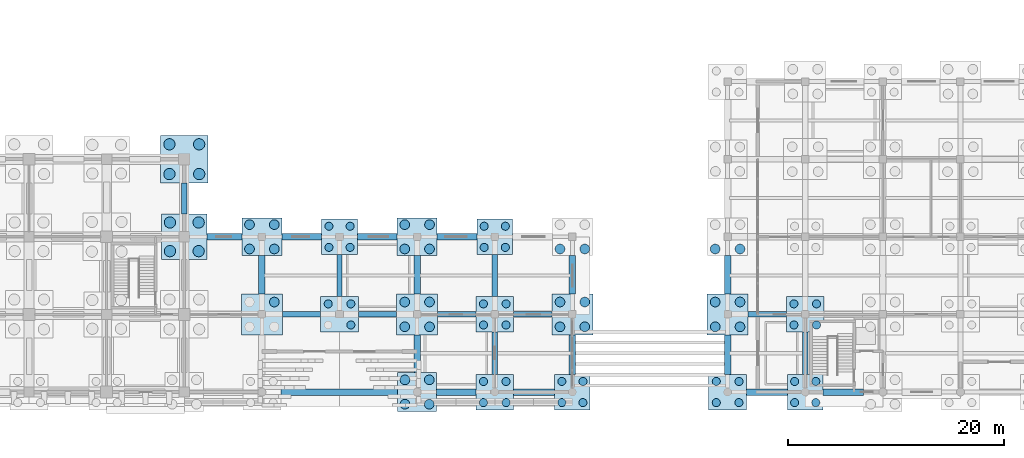
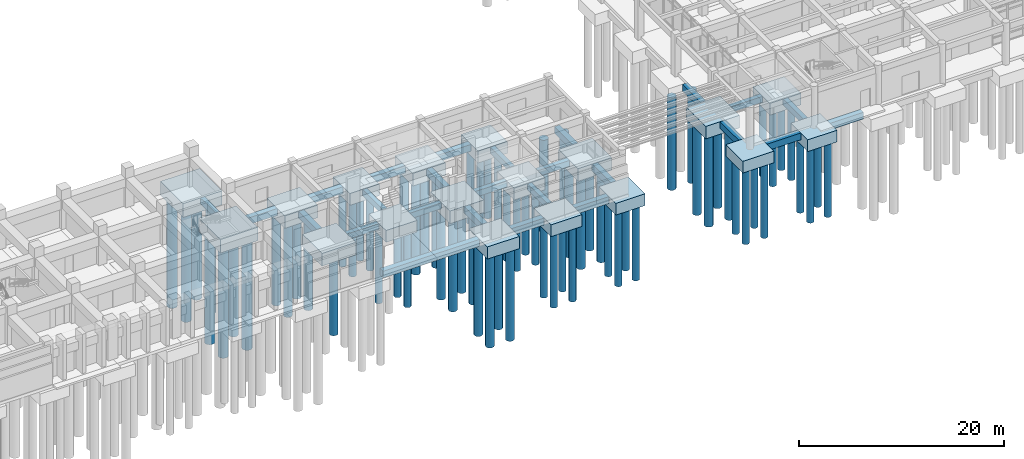
# One storey, part 5 of 79: 72 piles, 44 footings.
"""IFC4 building model written with IfcOpenShell, lengths in metres."""

from ifc_helpers import new_model, si_unit, direction, frame, origin, origin_2d, place, context, subcontext, project, spatial, polyline, rectangle, circle, outline, extrude, material, material_profile, profile_set, type_object, element, save


model = new_model("IFC4")

# Units and contexts
model_context = context("Model", 3, precision=1e-05, world=origin(), true_north=direction((0.0, 1.0)))
body_context = subcontext(model_context, "Body", "Model", "MODEL_VIEW")
ifc_project = project(units=[si_unit("LENGTHUNIT", "METRE"), si_unit("AREAUNIT", "SQUARE_METRE"), si_unit("VOLUMEUNIT", "CUBIC_METRE"), si_unit("PLANEANGLEUNIT", "RADIAN"), si_unit("MASSUNIT", "GRAM", prefix="KILO")], contexts=[model_context])

# Site, building, storey
site_placement = place(None, origin())
site = spatial("IfcSite", under=ifc_project, at=site_placement, CompositionType="ELEMENT")
building_placement = place(site_placement, origin())
building = spatial("IfcBuilding", under=site, at=building_placement, Name="Kavelor Marine Aquarium", CompositionType="ELEMENT")
storey_placement = place(building_placement, origin())
storey = spatial("IfcBuildingStorey", under=building, at=storey_placement, Name="L00", CompositionType="ELEMENT", Elevation=0.0)

# Footings
ifc_material_1 = material(Name="Concrete C40/50", Category="concrete")
footing_type_1 = type_object("IfcFootingType", Name="CAP-PC01", PredefinedType="PILE_CAP", material=ifc_material_1)
footing_1_placement = place(storey_placement, frame((0.0, 0.0, -2.0)))
element("IfcFooting", 1, at=footing_1_placement, inside=storey, type_object=footing_type_1, Name="Pile Cap PC01 (10-D)", PredefinedType="PILE_CAP", context=body_context, shape_type="SweptSolid", body=[
    extrude(outline(polyline([(65.800048828125, 22.199951171875), (70.199951171875, 22.199951171875), (70.199951171875, 26.60009765625), (65.800048828125, 26.60009765625), (65.800048828125, 22.199951171875)])), origin(), (0.0, 0.0, 1.0), 1.64990234375),
])
ifc_material_2 = material(Name="Concrete C40/50", Category="concrete")
footing_type_2 = type_object("IfcFootingType", Name="CAP-PC02", PredefinedType="PILE_CAP", material=ifc_material_2)
footing_2_placement = place(storey_placement, frame((0.0, 0.0, -1.949951171875)))
element("IfcFooting", 2, at=footing_2_placement, inside=storey, type_object=footing_type_2, Name="Pile Cap PC02 (10-C)", PredefinedType="PILE_CAP", context=body_context, shape_type="SweptSolid", body=[
    extrude(outline(polyline([(65.89990234375, 15.10009765625), (70.10009765625, 15.10009765625), (70.10009765625, 19.300048828125), (65.89990234375, 19.300048828125), (65.89990234375, 15.10009765625)])), origin(), (0.0, 0.0, 1.0), 1.599853515625),
])
ifc_material_3 = material(Name="Concrete C40/50", Category="concrete")
footing_type_3 = type_object("IfcFootingType", Name="CAP-PC04", PredefinedType="PILE_CAP", material=ifc_material_3)
footing_3_placement = place(storey_placement, frame((0.0, 0.0, -1.85009765625)))
element("IfcFooting", 3, at=footing_3_placement, inside=storey, type_object=footing_type_3, Name="Pile Cap PC04 (11-B)", PredefinedType="PILE_CAP", context=body_context, shape_type="SweptSolid", body=[
    extrude(outline(polyline([(73.300048828125, 8.10009765625), (77.10009765625, 8.10009765625), (77.10009765625, 11.89990234375), (73.300048828125, 11.89990234375), (73.300048828125, 8.10009765625)])), origin(), (0.0, 0.0, 1.0), 1.5),
])
footing_4_placement = place(storey_placement, frame((0.0, 0.0, -1.85009765625)))
element("IfcFooting", 4, at=footing_4_placement, inside=storey, type_object=footing_type_3, Name="Pile Cap PC04 (13-B)", PredefinedType="PILE_CAP", context=body_context, shape_type="SweptSolid", body=[
    extrude(outline(polyline([(87.699951171875, 8.10009765625), (91.5, 8.10009765625), (91.5, 11.89990234375), (87.699951171875, 11.89990234375), (87.699951171875, 8.10009765625)])), origin(), (0.0, 0.0, 1.0), 1.5),
])
footing_5_placement = place(storey_placement, frame((0.0, 0.0, -1.85009765625)))
element("IfcFooting", 5, at=footing_5_placement, inside=storey, type_object=footing_type_3, Name="Pile Cap PC04 (15-B)", PredefinedType="PILE_CAP", context=body_context, shape_type="SweptSolid", body=[
    extrude(outline(polyline([(102.10009765625, 8.10009765625), (105.89990234375, 8.10009765625), (105.89990234375, 11.89990234375), (102.10009765625, 11.89990234375), (102.10009765625, 8.10009765625)])), origin(), (0.0, 0.0, 1.0), 1.5),
])
footing_6_placement = place(storey_placement, frame((0.0, 0.0, -1.85009765625)))
element("IfcFooting", 6, at=footing_6_placement, inside=storey, type_object=footing_type_3, Name="Pile Cap PC04 (17-B)", PredefinedType="PILE_CAP", context=body_context, shape_type="SweptSolid", body=[
    extrude(outline(polyline([(116.5, 8.10009765625), (120.300048828125, 8.10009765625), (120.300048828125, 11.89990234375), (116.5, 11.89990234375), (116.5, 8.10009765625)])), origin(), (0.0, 0.0, 1.0), 1.5),
])
ifc_material_4 = material(Name="Concrete C40/50", Category="concrete")
footing_type_4 = type_object("IfcFootingType", Name="CAP-PC05", PredefinedType="PILE_CAP", material=ifc_material_4)
footing_7_placement = place(storey_placement, frame((0.0, 0.0, -1.85009765625)))
element("IfcFooting", 7, at=footing_7_placement, inside=storey, type_object=footing_type_4, Name="Pile Cap PC05 (11-C)", PredefinedType="PILE_CAP", context=body_context, shape_type="SweptSolid", body=[
    extrude(outline(polyline([(73.35009765625, 15.449951171875), (77.050048828125, 15.449951171875), (77.050048828125, 18.949951171875), (73.35009765625, 18.949951171875), (73.35009765625, 15.449951171875)])), origin(), (0.0, 0.0, 1.0), 1.5),
])
footing_8_placement = place(storey_placement, frame((0.0, 0.0, -1.85009765625)))
element("IfcFooting", 8, at=footing_8_placement, inside=storey, type_object=footing_type_4, Name="Pile Cap PC05 (13-C)", PredefinedType="PILE_CAP", context=body_context, shape_type="SweptSolid", body=[
    extrude(outline(polyline([(87.75, 15.449951171875), (91.449951171875, 15.449951171875), (91.449951171875, 18.949951171875), (87.75, 18.949951171875), (87.75, 15.449951171875)])), origin(), (0.0, 0.0, 1.0), 1.5),
])
ifc_material_5 = material(Name="Concrete C40/50", Category="concrete")
footing_type_5 = type_object("IfcFootingType", Name="CAP-PC06", PredefinedType="PILE_CAP", material=ifc_material_5)
footing_9_placement = place(storey_placement, frame((0.0, 0.0, -1.800048828125)))
element("IfcFooting", 9, at=footing_9_placement, inside=storey, type_object=footing_type_5, Name="Pile Cap PC06 (13-A)", PredefinedType="PILE_CAP", context=body_context, shape_type="SweptSolid", body=[
    extrude(outline(polyline([(87.800048828125, 1.0), (91.39990234375, 1.0), (91.39990234375, 4.60009765625), (87.800048828125, 4.60009765625), (87.800048828125, 1.0)])), origin(), (0.0, 0.0, 1.0), 1.449951171875),
])
ifc_material_6 = material(Name="Concrete C40/50", Category="concrete")
footing_type_6 = type_object("IfcFootingType", Name="CAP-PC07", PredefinedType="PILE_CAP", material=ifc_material_6)
footing_10_placement = place(storey_placement, frame((0.0, 0.0, -1.75)))
element("IfcFooting", 10, at=footing_10_placement, inside=storey, type_object=footing_type_6, Name="Pile Cap PC07 (12-B)", PredefinedType="PILE_CAP", context=body_context, shape_type="SweptSolid", body=[
    extrude(outline(polyline([(80.64990234375, 8.35009765625), (84.14990234375, 8.35009765625), (84.14990234375, 11.64990234375), (80.64990234375, 11.64990234375), (80.64990234375, 8.35009765625)])), origin(), (0.0, 0.0, 1.0), 1.39990234375),
])
footing_11_placement = place(storey_placement, frame((0.0, 0.0, -1.75)))
element("IfcFooting", 11, at=footing_11_placement, inside=storey, type_object=footing_type_6, Name="Pile Cap PC07 (14-A)", PredefinedType="PILE_CAP", context=body_context, shape_type="SweptSolid", body=[
    extrude(outline(polyline([(95.050048828125, 1.14990234375), (98.550048828125, 1.14990234375), (98.550048828125, 4.449951171875), (95.050048828125, 4.449951171875), (95.050048828125, 1.14990234375)])), origin(), (0.0, 0.0, 1.0), 1.39990234375),
])
footing_12_placement = place(storey_placement, frame((0.0, 0.0, -1.75)))
element("IfcFooting", 12, at=footing_12_placement, inside=storey, type_object=footing_type_6, Name="Pile Cap PC07 (14-B)", PredefinedType="PILE_CAP", context=body_context, shape_type="SweptSolid", body=[
    extrude(outline(polyline([(95.050048828125, 8.35009765625), (98.550048828125, 8.35009765625), (98.550048828125, 11.64990234375), (95.050048828125, 11.64990234375), (95.050048828125, 8.35009765625)])), origin(), (0.0, 0.0, 1.0), 1.39990234375),
])
footing_13_placement = place(storey_placement, frame((0.0, 0.0, -1.75)))
element("IfcFooting", 13, at=footing_13_placement, inside=storey, type_object=footing_type_6, Name="Pile Cap PC07 (17-A)", PredefinedType="PILE_CAP", context=body_context, shape_type="SweptSolid", body=[
    extrude(outline(polyline([(116.64990234375, 1.14990234375), (120.14990234375, 1.14990234375), (120.14990234375, 4.449951171875), (116.64990234375, 4.449951171875), (116.64990234375, 1.14990234375)])), origin(), (0.0, 0.0, 1.0), 1.39990234375),
])
footing_14_placement = place(storey_placement, frame((0.0, 0.0, -1.75)))
element("IfcFooting", 14, at=footing_14_placement, inside=storey, type_object=footing_type_6, Name="Pile Cap PC07 (18-B)", PredefinedType="PILE_CAP", context=body_context, shape_type="SweptSolid", body=[
    extrude(outline(polyline([(123.85009765625, 8.35009765625), (127.35009765625, 8.35009765625), (127.35009765625, 11.64990234375), (123.85009765625, 11.64990234375), (123.85009765625, 8.35009765625)])), origin(), (0.0, 0.0, 1.0), 1.39990234375),
])
ifc_material_7 = material(Name="Concrete C40/50", Category="concrete")
footing_type_7 = type_object("IfcFootingType", Name="CAP-PC08", PredefinedType="PILE_CAP", material=ifc_material_7)
footing_15_placement = place(storey_placement, frame((0.0, 0.0, -1.75)))
element("IfcFooting", 15, at=footing_15_placement, inside=storey, type_object=footing_type_7, Name="Pile Cap PC08 (12-C)", PredefinedType="PILE_CAP", context=body_context, shape_type="SweptSolid", body=[
    extrude(outline(polyline([(80.75, 15.550048828125), (84.050048828125, 15.550048828125), (84.050048828125, 18.85009765625), (80.75, 18.85009765625), (80.75, 15.550048828125)])), origin(), (0.0, 0.0, 1.0), 1.39990234375),
])
footing_16_placement = place(storey_placement, frame((0.0, 0.0, -1.75)))
element("IfcFooting", 16, at=footing_16_placement, inside=storey, type_object=footing_type_7, Name="Pile Cap PC08 (14-C)", PredefinedType="PILE_CAP", context=body_context, shape_type="SweptSolid", body=[
    extrude(outline(polyline([(95.14990234375, 15.550048828125), (98.449951171875, 15.550048828125), (98.449951171875, 18.85009765625), (95.14990234375, 18.85009765625), (95.14990234375, 15.550048828125)])), origin(), (0.0, 0.0, 1.0), 1.39990234375),
])
footing_17_placement = place(storey_placement, frame((0.0, 0.0, -1.75)))
element("IfcFooting", 17, at=footing_17_placement, inside=storey, type_object=footing_type_7, Name="Pile Cap PC08 (15-A)", PredefinedType="PILE_CAP", context=body_context, shape_type="SweptSolid", body=[
    extrude(outline(polyline([(102.35009765625, 1.14990234375), (105.64990234375, 1.14990234375), (105.64990234375, 4.449951171875), (102.35009765625, 4.449951171875), (102.35009765625, 1.14990234375)])), origin(), (0.0, 0.0, 1.0), 1.39990234375),
])
footing_18_placement = place(storey_placement, frame((0.0, 0.0, -1.75)))
element("IfcFooting", 18, at=footing_18_placement, inside=storey, type_object=footing_type_7, Name="Pile Cap PC08 (18-A)", PredefinedType="PILE_CAP", context=body_context, shape_type="SweptSolid", body=[
    extrude(outline(polyline([(123.949951171875, 1.14990234375), (127.25, 1.14990234375), (127.25, 4.449951171875), (123.949951171875, 4.449951171875), (123.949951171875, 1.14990234375)])), origin(), (0.0, 0.0, 1.0), 1.39990234375),
])
ifc_material_8 = material(Name="Concrete C40/50", Category="concrete")
ifc_material_profile_1 = material_profile(ifc_material_8, rectangle(XDim=0.60009765625, YDim=0.800048828125, at=origin_2d()), Name="GB 600x800")
ifc_profile_set_1 = profile_set([ifc_material_profile_1], Name="Concrete C40/50")
footing_type_8 = type_object("IfcFootingType", Name="FTB-GB1", PredefinedType="FOOTING_BEAM", material=ifc_profile_set_1)
footing_19_placement = place(storey_placement, frame((70.10009765625, 17.199951171875, -0.75), z_axis=(1.0, 0.0, 0.0), x_axis=(0.0, 1.0, 0.0)))
element("IfcFooting", 19, at=footing_19_placement, inside=storey, type_object=footing_type_8, Name="ftb:x:09_02", PredefinedType="FOOTING_BEAM", context=body_context, shape_type="SweptSolid", body=[
    extrude(rectangle(XDim=0.60009765625, YDim=0.800048828125, at=origin_2d()), origin(), (0.0, 0.0, 1.0), 3.25),
])
footing_20_placement = place(storey_placement, frame((76.949951171875, 2.800048828125, -0.75), z_axis=(1.0, 0.0, 0.0), x_axis=(0.0, 1.0, 0.0)))
element("IfcFooting", 20, at=footing_20_placement, inside=storey, type_object=footing_type_8, Name="ftb:x:10_00", PredefinedType="FOOTING_BEAM", context=body_context, shape_type="SweptSolid", body=[
    extrude(rectangle(XDim=0.60009765625, YDim=0.800048828125, at=origin_2d()), origin(), (0.0, 0.0, 1.0), 10.85009765625),
])
footing_21_placement = place(storey_placement, frame((75.199951171875, 11.89990234375, -0.75), z_axis=(0.0, 1.0, 0.0), x_axis=(-1.0, 0.0, 0.0)))
element("IfcFooting", 21, at=footing_21_placement, inside=storey, type_object=footing_type_8, Name="ftb:y:10_01", PredefinedType="FOOTING_BEAM", context=body_context, shape_type="SweptSolid", body=[
    extrude(rectangle(XDim=0.60009765625, YDim=0.800048828125, at=origin_2d()), origin(), (0.0, 0.0, 1.0), 3.550048828125),
])
for number, where, z_axis, x_axis, name in (
    (22, (77.050048828125, 17.199951171875, -0.75), (1.0, 0.0, 0.0), (0.0, 1.0, 0.0), "ftb:x:10_02"),
    (23, (84.050048828125, 17.199951171875, -0.75), (1.0, 0.0, 0.0), (0.0, 1.0, 0.0), "ftb:x:11_02"),
):
    element("IfcFooting", number, at=place(storey_placement, frame(where, z_axis=z_axis, x_axis=x_axis)), inside=storey, type_object=footing_type_8, Name=name, PredefinedType="FOOTING_BEAM", context=body_context, shape_type="SweptSolid", body=[
        extrude(rectangle(XDim=0.60009765625, YDim=0.800048828125, at=origin_2d()), origin(), (0.0, 0.0, 1.0), 3.699951171875),
    ])
footing_22_placement = place(storey_placement, frame((91.39990234375, 2.800048828125, -0.75), z_axis=(1.0, 0.0, 0.0), x_axis=(0.0, 1.0, 0.0)))
element("IfcFooting", 24, at=footing_22_placement, inside=storey, type_object=footing_type_8, Name="ftb:x:12_00", PredefinedType="FOOTING_BEAM", context=body_context, shape_type="SweptSolid", body=[
    extrude(rectangle(XDim=0.60009765625, YDim=0.800048828125, at=origin_2d()), origin(), (0.0, 0.0, 1.0), 3.650146484375),
])
footing_23_placement = place(storey_placement, frame((89.60009765625, 4.60009765625, -0.75), z_axis=(0.0, 1.0, 0.0), x_axis=(-1.0, 0.0, 0.0)))
element("IfcFooting", 25, at=footing_23_placement, inside=storey, type_object=footing_type_8, Name="ftb:y:12_00", PredefinedType="FOOTING_BEAM", context=body_context, shape_type="SweptSolid", body=[
    extrude(rectangle(XDim=0.60009765625, YDim=0.800048828125, at=origin_2d()), origin(), (0.0, 0.0, 1.0), 3.5),
])
footing_24_placement = place(storey_placement, frame((89.60009765625, 11.89990234375, -0.75), z_axis=(0.0, 1.0, 0.0), x_axis=(-1.0, 0.0, 0.0)))
element("IfcFooting", 26, at=footing_24_placement, inside=storey, type_object=footing_type_8, Name="ftb:y:12_01", PredefinedType="FOOTING_BEAM", context=body_context, shape_type="SweptSolid", body=[
    extrude(rectangle(XDim=0.60009765625, YDim=0.800048828125, at=origin_2d()), origin(), (0.0, 0.0, 1.0), 3.550048828125),
])
footing_25_placement = place(storey_placement, frame((91.449951171875, 17.199951171875, -0.75), z_axis=(1.0, 0.0, 0.0), x_axis=(0.0, 1.0, 0.0)))
element("IfcFooting", 27, at=footing_25_placement, inside=storey, type_object=footing_type_8, Name="ftb:x:12_02", PredefinedType="FOOTING_BEAM", context=body_context, shape_type="SweptSolid", body=[
    extrude(rectangle(XDim=0.60009765625, YDim=0.800048828125, at=origin_2d()), origin(), (0.0, 0.0, 1.0), 3.699951171875),
])
footing_26_placement = place(storey_placement, frame((98.550048828125, 2.800048828125, -0.75), z_axis=(1.0, 0.0, 0.0), x_axis=(0.0, 1.0, 0.0)))
element("IfcFooting", 28, at=footing_26_placement, inside=storey, type_object=footing_type_8, Name="ftb:x:13_00", PredefinedType="FOOTING_BEAM", context=body_context, shape_type="SweptSolid", body=[
    extrude(rectangle(XDim=0.60009765625, YDim=0.800048828125, at=origin_2d()), origin(), (0.0, 0.0, 1.0), 3.800048828125),
])
footing_27_placement = place(storey_placement, frame((104.0, 4.449951171875, -0.75), z_axis=(0.0, 1.0, 0.0), x_axis=(-1.0, 0.0, 0.0)))
element("IfcFooting", 29, at=footing_27_placement, inside=storey, type_object=footing_type_8, Name="ftb:y:14_00", PredefinedType="FOOTING_BEAM", context=body_context, shape_type="SweptSolid", body=[
    extrude(rectangle(XDim=0.60009765625, YDim=0.800048828125, at=origin_2d()), origin(), (0.0, 0.0, 1.0), 3.650146484375),
])
footing_28_placement = place(storey_placement, frame((104.0, 11.89990234375, -0.75), z_axis=(0.0, 1.0, 0.0), x_axis=(-1.0, 0.0, 0.0)))
element("IfcFooting", 30, at=footing_28_placement, inside=storey, type_object=footing_type_8, Name="ftb:y:14_01", PredefinedType="FOOTING_BEAM", context=body_context, shape_type="SweptSolid", body=[
    extrude(rectangle(XDim=0.60009765625, YDim=0.800048828125, at=origin_2d()), origin(), (0.0, 0.0, 1.0), 3.550048828125),
])
footing_29_placement = place(storey_placement, frame((120.14990234375, 2.800048828125, -0.75), z_axis=(1.0, 0.0, 0.0), x_axis=(0.0, 1.0, 0.0)))
element("IfcFooting", 31, at=footing_29_placement, inside=storey, type_object=footing_type_8, Name="ftb:x:16_00", PredefinedType="FOOTING_BEAM", context=body_context, shape_type="SweptSolid", body=[
    extrude(rectangle(XDim=0.60009765625, YDim=0.800048828125, at=origin_2d()), origin(), (0.0, 0.0, 1.0), 3.800048828125),
])
footing_30_placement = place(storey_placement, frame((118.39990234375, 4.449951171875, -0.75), z_axis=(0.0, 1.0, 0.0), x_axis=(-1.0, 0.0, 0.0)))
element("IfcFooting", 32, at=footing_30_placement, inside=storey, type_object=footing_type_8, Name="ftb:y:16_00", PredefinedType="FOOTING_BEAM", context=body_context, shape_type="SweptSolid", body=[
    extrude(rectangle(XDim=0.60009765625, YDim=0.800048828125, at=origin_2d()), origin(), (0.0, 0.0, 1.0), 3.650146484375),
])
footing_31_placement = place(storey_placement, frame((118.39990234375, 11.89990234375, -0.75), z_axis=(0.0, 1.0, 0.0), x_axis=(-1.0, 0.0, 0.0)))
element("IfcFooting", 33, at=footing_31_placement, inside=storey, type_object=footing_type_8, Name="ftb:y:16_01", PredefinedType="FOOTING_BEAM", context=body_context, shape_type="SweptSolid", body=[
    extrude(rectangle(XDim=0.60009765625, YDim=0.800048828125, at=origin_2d()), origin(), (0.0, 0.0, 1.0), 3.550048828125),
])
footing_32_placement = place(storey_placement, frame((127.25, 2.800048828125, -0.75), z_axis=(1.0, 0.0, 0.0), x_axis=(0.0, 1.0, 0.0)))
element("IfcFooting", 34, at=footing_32_placement, inside=storey, type_object=footing_type_8, Name="ftb:x:17_00", PredefinedType="FOOTING_BEAM", context=body_context, shape_type="SweptSolid", body=[
    extrude(rectangle(XDim=0.60009765625, YDim=0.800048828125, at=origin_2d()), origin(), (0.0, 0.0, 1.0), 3.75),
])
ifc_material_9 = material(Name="Concrete C40/50", Category="concrete")
ifc_material_profile_2 = material_profile(ifc_material_9, rectangle(XDim=0.5, YDim=0.699951171875, at=origin_2d()), Name="GB 500x700")
ifc_profile_set_2 = profile_set([ifc_material_profile_2], Name="Concrete C40/50")
footing_type_9 = type_object("IfcFootingType", Name="FTB-GB2", PredefinedType="FOOTING_BEAM", material=ifc_profile_set_2)
footing_33_placement = place(storey_placement, frame((68.0, 19.300048828125, -0.699951171875), z_axis=(0.0, 1.0, 0.0), x_axis=(-1.0, 0.0, 0.0)))
element("IfcFooting", 35, at=footing_33_placement, inside=storey, type_object=footing_type_9, Name="ftb:y:09_02", PredefinedType="FOOTING_BEAM", context=body_context, shape_type="SweptSolid", body=[
    extrude(rectangle(XDim=0.5, YDim=0.699951171875, at=origin_2d()), origin(), (0.0, 0.0, 1.0), 2.89990234375),
])
footing_34_placement = place(storey_placement, frame((77.10009765625, 10.0, -0.699951171875), z_axis=(1.0, 0.0, 0.0), x_axis=(0.0, 1.0, 0.0)))
element("IfcFooting", 36, at=footing_34_placement, inside=storey, type_object=footing_type_9, Name="ftb:x:10_01", PredefinedType="FOOTING_BEAM", context=body_context, shape_type="SweptSolid", body=[
    extrude(rectangle(XDim=0.5, YDim=0.699951171875, at=origin_2d()), origin(), (0.0, 0.0, 1.0), 3.5498046875),
])
footing_35_placement = place(storey_placement, frame((84.14990234375, 10.0, -0.699951171875), z_axis=(1.0, 0.0, 0.0), x_axis=(0.0, 1.0, 0.0)))
element("IfcFooting", 37, at=footing_35_placement, inside=storey, type_object=footing_type_9, Name="ftb:x:11_01", PredefinedType="FOOTING_BEAM", context=body_context, shape_type="SweptSolid", body=[
    extrude(rectangle(XDim=0.5, YDim=0.699951171875, at=origin_2d()), origin(), (0.0, 0.0, 1.0), 3.550048828125),
])
footing_36_placement = place(storey_placement, frame((82.39990234375, 11.64990234375, -0.699951171875), z_axis=(0.0, 1.0, 0.0), x_axis=(-1.0, 0.0, 0.0)))
element("IfcFooting", 38, at=footing_36_placement, inside=storey, type_object=footing_type_9, Name="ftb:y:11_01", PredefinedType="FOOTING_BEAM", context=body_context, shape_type="SweptSolid", body=[
    extrude(rectangle(XDim=0.5, YDim=0.699951171875, at=origin_2d()), origin(), (0.0, 0.0, 1.0), 3.900146484375),
])
footing_37_placement = place(storey_placement, frame((91.5, 10.0, -0.699951171875), z_axis=(1.0, 0.0, 0.0), x_axis=(0.0, 1.0, 0.0)))
element("IfcFooting", 39, at=footing_37_placement, inside=storey, type_object=footing_type_9, Name="ftb:x:12_01", PredefinedType="FOOTING_BEAM", context=body_context, shape_type="SweptSolid", body=[
    extrude(rectangle(XDim=0.5, YDim=0.699951171875, at=origin_2d()), origin(), (0.0, 0.0, 1.0), 3.550048828125),
])
footing_38_placement = place(storey_placement, frame((96.800048828125, 4.449951171875, -0.699951171875), z_axis=(0.0, 1.0, 0.0), x_axis=(-1.0, 0.0, 0.0)))
element("IfcFooting", 40, at=footing_38_placement, inside=storey, type_object=footing_type_9, Name="ftb:y:13_00", PredefinedType="FOOTING_BEAM", context=body_context, shape_type="SweptSolid", body=[
    extrude(rectangle(XDim=0.5, YDim=0.699951171875, at=origin_2d()), origin(), (0.0, 0.0, 1.0), 3.900146484375),
])
footing_39_placement = place(storey_placement, frame((98.550048828125, 10.0, -0.699951171875), z_axis=(1.0, 0.0, 0.0), x_axis=(0.0, 1.0, 0.0)))
element("IfcFooting", 41, at=footing_39_placement, inside=storey, type_object=footing_type_9, Name="ftb:x:13_01", PredefinedType="FOOTING_BEAM", context=body_context, shape_type="SweptSolid", body=[
    extrude(rectangle(XDim=0.5, YDim=0.699951171875, at=origin_2d()), origin(), (0.0, 0.0, 1.0), 3.550048828125),
])
footing_40_placement = place(storey_placement, frame((96.800048828125, 11.64990234375, -0.699951171875), z_axis=(0.0, 1.0, 0.0), x_axis=(-1.0, 0.0, 0.0)))
element("IfcFooting", 42, at=footing_40_placement, inside=storey, type_object=footing_type_9, Name="ftb:y:13_01", PredefinedType="FOOTING_BEAM", context=body_context, shape_type="SweptSolid", body=[
    extrude(rectangle(XDim=0.5, YDim=0.699951171875, at=origin_2d()), origin(), (0.0, 0.0, 1.0), 3.900146484375),
])
footing_41_placement = place(storey_placement, frame((120.300048828125, 10.0, -0.699951171875), z_axis=(1.0, 0.0, 0.0), x_axis=(0.0, 1.0, 0.0)))
element("IfcFooting", 43, at=footing_41_placement, inside=storey, type_object=footing_type_9, Name="ftb:x:16_01", PredefinedType="FOOTING_BEAM", context=body_context, shape_type="SweptSolid", body=[
    extrude(rectangle(XDim=0.5, YDim=0.699951171875, at=origin_2d()), origin(), (0.0, 0.0, 1.0), 3.550048828125),
])
footing_42_placement = place(storey_placement, frame((125.60009765625, 4.449951171875, -0.699951171875), z_axis=(0.0, 1.0, 0.0), x_axis=(-1.0, 0.0, 0.0)))
element("IfcFooting", 44, at=footing_42_placement, inside=storey, type_object=footing_type_9, Name="ftb:y:17_00", PredefinedType="FOOTING_BEAM", context=body_context, shape_type="SweptSolid", body=[
    extrude(rectangle(XDim=0.5, YDim=0.699951171875, at=origin_2d()), origin(), (0.0, 0.0, 1.0), 3.900146484375),
])

# Piles
ifc_material_10 = material(Name="Concrete C40/50", Category="concrete")
ifc_material_profile_3 = material_profile(ifc_material_10, circle(Radius=0.52490234375, at=origin_2d()), Name="PILE D1050")
ifc_profile_set_3 = profile_set([ifc_material_profile_3], Name="Concrete C40/50")
pile_type_1 = type_object("IfcPileType", Name="PILE-P1", PredefinedType="BORED", material=ifc_profile_set_3)
for number, where, z_axis, x_axis, name in (
    (45, (66.669921875, 15.8701171875, -1.85009765625), (0.0, 0.0, -1.0), (1.0, 0.0, 0.0), "Bored Pile P1 (10-C-1)"),
    (46, (69.330078125, 15.8701171875, -1.85009765625), (0.0, 0.0, -1.0), (1.0, 0.0, 0.0), "Bored Pile P1 (10-C-2)"),
    (47, (66.669921875, 18.530029296875, -1.85009765625), (0.0, 0.0, -1.0), (1.0, 0.0, 0.0), "Bored Pile P1 (10-C-3)"),
    (48, (69.330078125, 18.530029296875, -1.85009765625), (0.0, 0.0, -1.0), (1.0, 0.0, 0.0), "Bored Pile P1 (10-C-4)"),
    (49, (66.6201171875, 23.02001953125, -1.89990234375), (0.0, 0.0, -1.0), (1.0, 0.0, 0.0), "Bored Pile P1 (10-D-1)"),
    (50, (69.3798828125, 23.02001953125, -1.89990234375), (0.0, 0.0, -1.0), (1.0, 0.0, 0.0), "Bored Pile P1 (10-D-2)"),
    (51, (66.6201171875, 25.780029296875, -1.89990234375), (0.0, 0.0, -1.0), (1.0, 0.0, 0.0), "Bored Pile P1 (10-D-3)"),
    (52, (69.3798828125, 25.780029296875, -1.89990234375), (0.0, 0.0, -1.0), (1.0, 0.0, 0.0), "Bored Pile P1 (10-D-4)"),
):
    element("IfcPile", number, at=place(storey_placement, frame(where, z_axis=z_axis, x_axis=x_axis)), inside=storey, type_object=pile_type_1, Name=name, PredefinedType="BORED", context=body_context, shape_type="SweptSolid", body=[
        extrude(circle(Radius=0.52490234375, at=origin_2d()), origin(), (0.0, 0.0, 1.0), 13.0),
    ])
ifc_material_11 = material(Name="Concrete C40/50", Category="concrete")
ifc_material_profile_4 = material_profile(ifc_material_11, circle(Radius=0.449951171875, at=origin_2d()), Name="PILE D900")
ifc_profile_set_4 = profile_set([ifc_material_profile_4], Name="Concrete C40/50")
pile_type_2 = type_object("IfcPileType", Name="PILE-P2", PredefinedType="BORED", material=ifc_profile_set_4)
for number, where, z_axis, x_axis, name in (
    (53, (76.35009765625, 11.14990234375, -1.75), (0.0, 0.0, -1.0), (1.0, 0.0, 0.0), "Bored Pile P2 (11-B-4)"),
    (54, (74.050048828125, 16.070068359375, -1.75), (0.0, 0.0, -1.0), (1.0, 0.0, 0.0), "Bored Pile P2 (11-C-1)"),
    (55, (76.35009765625, 16.070068359375, -1.75), (0.0, 0.0, -1.0), (1.0, 0.0, 0.0), "Bored Pile P2 (11-C-2)"),
    (56, (74.050048828125, 18.330078125, -1.75), (0.0, 0.0, -1.0), (1.0, 0.0, 0.0), "Bored Pile P2 (11-C-3)"),
    (57, (76.35009765625, 18.330078125, -1.75), (0.0, 0.0, -1.0), (1.0, 0.0, 0.0), "Bored Pile P2 (11-C-4)"),
    (58, (88.469970703125, 1.669921875, -1.699951171875), (0.0, 0.0, -1.0), (1.0, 0.0, 0.0), "Bored Pile P2 (13-A-1)"),
    (59, (90.72998046875, 1.669921875, -1.699951171875), (0.0, 0.0, -1.0), (1.0, 0.0, 0.0), "Bored Pile P2 (13-A-2)"),
    (60, (88.469970703125, 3.929931640625, -1.699951171875), (0.0, 0.0, -1.0), (1.0, 0.0, 0.0), "Bored Pile P2 (13-A-3)"),
    (61, (90.72998046875, 3.929931640625, -1.699951171875), (0.0, 0.0, -1.0), (1.0, 0.0, 0.0), "Bored Pile P2 (13-A-4)"),
    (62, (88.449951171875, 8.85009765625, -1.75), (0.0, 0.0, -1.0), (1.0, 0.0, 0.0), "Bored Pile P2 (13-B-1)"),
    (63, (90.75, 8.85009765625, -1.75), (0.0, 0.0, -1.0), (1.0, 0.0, 0.0), "Bored Pile P2 (13-B-2)"),
    (64, (88.449951171875, 11.14990234375, -1.75), (0.0, 0.0, -1.0), (1.0, 0.0, 0.0), "Bored Pile P2 (13-B-3)"),
    (65, (90.75, 11.14990234375, -1.75), (0.0, 0.0, -1.0), (1.0, 0.0, 0.0), "Bored Pile P2 (13-B-4)"),
    (66, (88.449951171875, 16.070068359375, -1.75), (0.0, 0.0, -1.0), (1.0, 0.0, 0.0), "Bored Pile P2 (13-C-1)"),
    (67, (90.75, 16.070068359375, -1.75), (0.0, 0.0, -1.0), (1.0, 0.0, 0.0), "Bored Pile P2 (13-C-2)"),
    (68, (88.449951171875, 18.330078125, -1.75), (0.0, 0.0, -1.0), (1.0, 0.0, 0.0), "Bored Pile P2 (13-C-3)"),
    (69, (90.75, 18.330078125, -1.75), (0.0, 0.0, -1.0), (1.0, 0.0, 0.0), "Bored Pile P2 (13-C-4)"),
    (70, (102.85009765625, 8.85009765625, -1.75), (0.0, 0.0, -1.0), (1.0, 0.0, 0.0), "Bored Pile P2 (15-B-1)"),
    (71, (105.14990234375, 8.85009765625, -1.75), (0.0, 0.0, -1.0), (1.0, 0.0, 0.0), "Bored Pile P2 (15-B-2)"),
    (72, (102.85009765625, 11.14990234375, -1.75), (0.0, 0.0, -1.0), (1.0, 0.0, 0.0), "Bored Pile P2 (15-B-3)"),
    (73, (105.14990234375, 11.14990234375, -1.75), (0.0, 0.0, -1.0), (1.0, 0.0, 0.0), "Bored Pile P2 (15-B-4)"),
    (74, (102.85009765625, 16.070068359375, -1.75), (0.0, 0.0, -1.0), (1.0, 0.0, 0.0), "Bored Pile P2 (15-C-1)"),
    (75, (105.14990234375, 16.070068359375, -1.75), (0.0, 0.0, -1.0), (1.0, 0.0, 0.0), "Bored Pile P2 (15-C-2)"),
    (76, (117.25, 8.85009765625, -1.75), (0.0, 0.0, -1.0), (1.0, 0.0, 0.0), "Bored Pile P2 (17-B-1)"),
    (77, (119.550048828125, 8.85009765625, -1.75), (0.0, 0.0, -1.0), (1.0, 0.0, 0.0), "Bored Pile P2 (17-B-2)"),
    (78, (117.25, 11.14990234375, -1.75), (0.0, 0.0, -1.0), (1.0, 0.0, 0.0), "Bored Pile P2 (17-B-3)"),
    (79, (119.550048828125, 11.14990234375, -1.75), (0.0, 0.0, -1.0), (1.0, 0.0, 0.0), "Bored Pile P2 (17-B-4)"),
    (80, (117.25, 16.070068359375, -1.75), (0.0, 0.0, -1.0), (1.0, 0.0, 0.0), "Bored Pile P2 (17-C-1)"),
    (81, (119.550048828125, 16.070068359375, -1.75), (0.0, 0.0, -1.0), (1.0, 0.0, 0.0), "Bored Pile P2 (17-C-2)"),
):
    element("IfcPile", number, at=place(storey_placement, frame(where, z_axis=z_axis, x_axis=x_axis)), inside=storey, type_object=pile_type_2, Name=name, PredefinedType="BORED", context=body_context, shape_type="SweptSolid", body=[
        extrude(circle(Radius=0.449951171875, at=origin_2d()), origin(), (0.0, 0.0, 1.0), 11.0),
    ])
ifc_material_12 = material(Name="Concrete C40/50", Category="concrete")
ifc_material_profile_5 = material_profile(ifc_material_12, circle(Radius=0.375, at=origin_2d()), Name="PILE D750")
ifc_profile_set_5 = profile_set([ifc_material_profile_5], Name="Concrete C40/50")
pile_type_3 = type_object("IfcPileType", Name="PILE-P3", PredefinedType="BORED", material=ifc_profile_set_5)
for number, where, z_axis, x_axis, name in (
    (82, (83.449951171875, 9.02001953125, -1.64990234375), (0.0, 0.0, -1.0), (1.0, 0.0, 0.0), "Bored Pile P3 (12-B-2)"),
    (83, (81.35009765625, 10.97998046875, -1.64990234375), (0.0, 0.0, -1.0), (1.0, 0.0, 0.0), "Bored Pile P3 (12-B-3)"),
    (84, (83.449951171875, 10.97998046875, -1.64990234375), (0.0, 0.0, -1.0), (1.0, 0.0, 0.0), "Bored Pile P3 (12-B-4)"),
    (85, (81.419921875, 16.219970703125, -1.64990234375), (0.0, 0.0, -1.0), (1.0, 0.0, 0.0), "Bored Pile P3 (12-C-1)"),
    (86, (83.3798828125, 16.219970703125, -1.64990234375), (0.0, 0.0, -1.0), (1.0, 0.0, 0.0), "Bored Pile P3 (12-C-2)"),
    (87, (81.419921875, 18.179931640625, -1.64990234375), (0.0, 0.0, -1.0), (1.0, 0.0, 0.0), "Bored Pile P3 (12-C-3)"),
    (88, (83.3798828125, 18.179931640625, -1.64990234375), (0.0, 0.0, -1.0), (1.0, 0.0, 0.0), "Bored Pile P3 (12-C-4)"),
    (89, (95.75, 1.820068359375, -1.64990234375), (0.0, 0.0, -1.0), (1.0, 0.0, 0.0), "Bored Pile P3 (14-A-1)"),
    (90, (97.85009765625, 1.820068359375, -1.64990234375), (0.0, 0.0, -1.0), (1.0, 0.0, 0.0), "Bored Pile P3 (14-A-2)"),
    (91, (95.75, 3.780029296875, -1.64990234375), (0.0, 0.0, -1.0), (1.0, 0.0, 0.0), "Bored Pile P3 (14-A-3)"),
    (92, (97.85009765625, 3.780029296875, -1.64990234375), (0.0, 0.0, -1.0), (1.0, 0.0, 0.0), "Bored Pile P3 (14-A-4)"),
    (93, (95.75, 9.02001953125, -1.64990234375), (0.0, 0.0, -1.0), (1.0, 0.0, 0.0), "Bored Pile P3 (14-B-1)"),
    (94, (97.85009765625, 9.02001953125, -1.64990234375), (0.0, 0.0, -1.0), (1.0, 0.0, 0.0), "Bored Pile P3 (14-B-2)"),
    (95, (95.75, 10.97998046875, -1.64990234375), (0.0, 0.0, -1.0), (1.0, 0.0, 0.0), "Bored Pile P3 (14-B-3)"),
    (96, (97.85009765625, 10.97998046875, -1.64990234375), (0.0, 0.0, -1.0), (1.0, 0.0, 0.0), "Bored Pile P3 (14-B-4)"),
    (97, (95.820068359375, 16.219970703125, -1.64990234375), (0.0, 0.0, -1.0), (1.0, 0.0, 0.0), "Bored Pile P3 (14-C-1)"),
    (98, (97.780029296875, 16.219970703125, -1.64990234375), (0.0, 0.0, -1.0), (1.0, 0.0, 0.0), "Bored Pile P3 (14-C-2)"),
    (99, (95.820068359375, 18.179931640625, -1.64990234375), (0.0, 0.0, -1.0), (1.0, 0.0, 0.0), "Bored Pile P3 (14-C-3)"),
    (100, (97.780029296875, 18.179931640625, -1.64990234375), (0.0, 0.0, -1.0), (1.0, 0.0, 0.0), "Bored Pile P3 (14-C-4)"),
    (101, (103.02001953125, 1.820068359375, -1.64990234375), (0.0, 0.0, -1.0), (1.0, 0.0, 0.0), "Bored Pile P3 (15-A-1)"),
    (102, (104.97998046875, 1.820068359375, -1.64990234375), (0.0, 0.0, -1.0), (1.0, 0.0, 0.0), "Bored Pile P3 (15-A-2)"),
    (103, (103.02001953125, 3.780029296875, -1.64990234375), (0.0, 0.0, -1.0), (1.0, 0.0, 0.0), "Bored Pile P3 (15-A-3)"),
    (104, (104.97998046875, 3.780029296875, -1.64990234375), (0.0, 0.0, -1.0), (1.0, 0.0, 0.0), "Bored Pile P3 (15-A-4)"),
    (105, (117.35009765625, 1.820068359375, -1.64990234375), (0.0, 0.0, -1.0), (1.0, 0.0, 0.0), "Bored Pile P3 (17-A-1)"),
    (106, (119.449951171875, 1.820068359375, -1.64990234375), (0.0, 0.0, -1.0), (1.0, 0.0, 0.0), "Bored Pile P3 (17-A-2)"),
    (107, (117.35009765625, 3.780029296875, -1.64990234375), (0.0, 0.0, -1.0), (1.0, 0.0, 0.0), "Bored Pile P3 (17-A-3)"),
    (108, (119.449951171875, 3.780029296875, -1.64990234375), (0.0, 0.0, -1.0), (1.0, 0.0, 0.0), "Bored Pile P3 (17-A-4)"),
    (109, (124.6201171875, 1.820068359375, -1.64990234375), (0.0, 0.0, -1.0), (1.0, 0.0, 0.0), "Bored Pile P3 (18-A-1)"),
    (110, (126.580078125, 1.820068359375, -1.64990234375), (0.0, 0.0, -1.0), (1.0, 0.0, 0.0), "Bored Pile P3 (18-A-2)"),
    (111, (124.6201171875, 3.780029296875, -1.64990234375), (0.0, 0.0, -1.0), (1.0, 0.0, 0.0), "Bored Pile P3 (18-A-3)"),
    (112, (126.580078125, 3.780029296875, -1.64990234375), (0.0, 0.0, -1.0), (1.0, 0.0, 0.0), "Bored Pile P3 (18-A-4)"),
    (113, (124.550048828125, 9.02001953125, -1.64990234375), (0.0, 0.0, -1.0), (1.0, 0.0, 0.0), "Bored Pile P3 (18-B-1)"),
    (114, (126.64990234375, 9.02001953125, -1.64990234375), (0.0, 0.0, -1.0), (1.0, 0.0, 0.0), "Bored Pile P3 (18-B-2)"),
    (115, (124.550048828125, 10.97998046875, -1.64990234375), (0.0, 0.0, -1.0), (1.0, 0.0, 0.0), "Bored Pile P3 (18-B-3)"),
    (116, (126.64990234375, 10.97998046875, -1.64990234375), (0.0, 0.0, -1.0), (1.0, 0.0, 0.0), "Bored Pile P3 (18-B-4)"),
):
    element("IfcPile", number, at=place(storey_placement, frame(where, z_axis=z_axis, x_axis=x_axis)), inside=storey, type_object=pile_type_3, Name=name, PredefinedType="BORED", context=body_context, shape_type="SweptSolid", body=[
        extrude(circle(Radius=0.375, at=origin_2d()), origin(), (0.0, 0.0, 1.0), 9.0),
    ])

save(model, "model.ifc")
